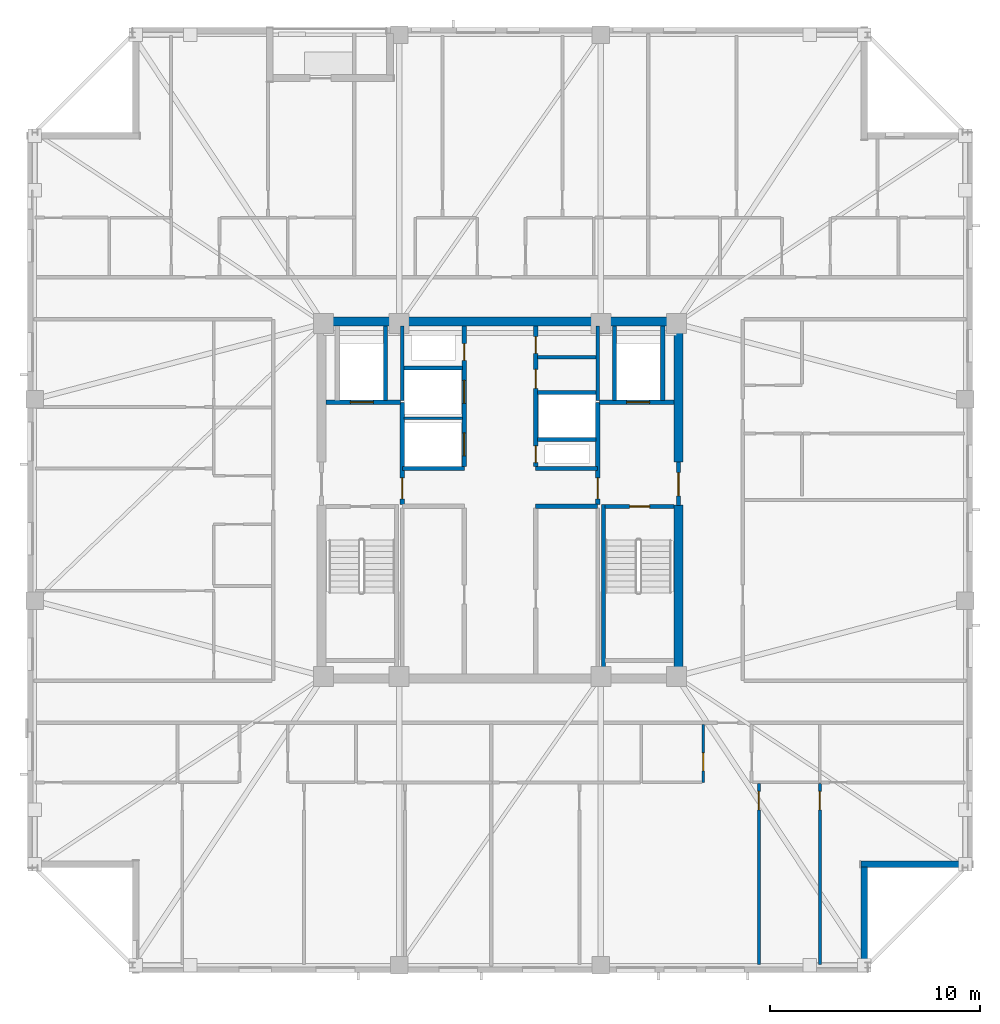
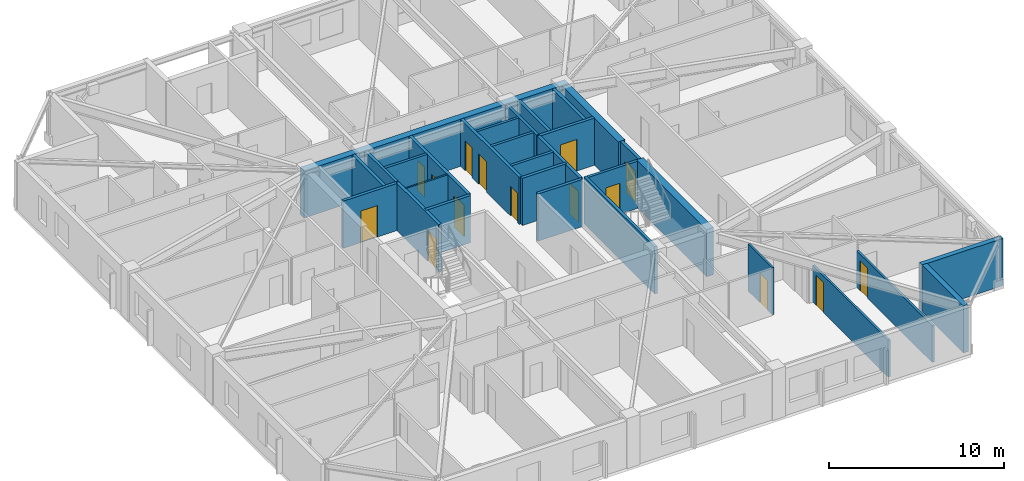
# One storey, part 9 of 17: 30 walls, 15 doors, 15 openings.
"""IFC4 building model written with IfcOpenShell, lengths in metres."""

from ifc_helpers import new_model, si_unit, direction, frame, frame_2d, origin, place, context, subcontext, project, spatial, rectangle, extrude, material, layer, layer_set, type_object, element, fill, save


model = new_model("IFC4")

# Units and contexts
model_context = context("Model", 3, precision=1e-05, world=origin(), true_north=direction((0.0, 1.0)))
body_context = subcontext(model_context, "Body", "Model", "MODEL_VIEW")
ifc_project = project(units=[si_unit("LENGTHUNIT", "METRE"), si_unit("AREAUNIT", "SQUARE_METRE"), si_unit("VOLUMEUNIT", "CUBIC_METRE"), si_unit("PLANEANGLEUNIT", "RADIAN"), si_unit("MASSUNIT", "GRAM", prefix="KILO")], contexts=[model_context])

# Site, building, storey
site_placement = place(None, origin())
site = spatial("IfcSite", under=ifc_project, at=site_placement, CompositionType="ELEMENT")
building_placement = place(site_placement, origin())
building = spatial("IfcBuilding", under=site, at=building_placement, Name="Cairnveth Concourse Tower", CompositionType="ELEMENT")
storey_placement = place(building_placement, frame((0.0, 0.0, 223.5)))
storey = spatial("IfcBuildingStorey", under=building, at=storey_placement, Name="L61", CompositionType="ELEMENT", Elevation=223.5)

# Walls
ifc_material_1 = material(Name="Gypsum Plasterboard Partition", Category="gypsum")
ifc_layer_1 = layer(ifc_material_1, 0.159912109375)
ifc_layer_set_1 = layer_set([ifc_layer_1], Name="Gypsum Plasterboard Partition")
wall_type_1 = type_object("IfcWallType", Name="ACOUSTIC PARTY WALL 180", PredefinedType="PARTITIONING", material=ifc_layer_set_1)
wall_1_placement = place(storey_placement, frame((53.784912109375, 45.800048828125, 0.0), z_axis=(0.0, 0.0, 1.0), x_axis=(1.0, 0.0, 0.0)))
element("IfcWall", 1, at=wall_1_placement, inside=storey, type_object=wall_type_1, Name="Interior Wall IW-L61-033", PredefinedType="PARTITIONING", context=body_context, shape_type="SweptSolid", body=[
    extrude(rectangle(XDim=2.7900390625, YDim=0.159912109375, at=frame_2d((1.39501953125, 0.0))), origin(), (0.0, 0.0, 1.0), 3.2900390625),
])
ifc_material_2 = material(Name="Concrete N65 (65 MPa)", Category="concrete")
ifc_layer_2 = layer(ifc_material_2, 0.449951171875)
ifc_layer_set_2 = layer_set([ifc_layer_2], Name="Concrete N65 (65 MPa)")
wall_type_2 = type_object("IfcWallType", Name="CORE SHEAR WALL 450", PredefinedType="SHEAR", material=ifc_layer_set_2)
wall_2_placement = place(storey_placement, frame((43.27490234375, 47.5, 0.0), z_axis=(0.0, 0.0, 1.0), x_axis=(1.0, 0.0, 0.0)))
element("IfcWall", 2, at=wall_2_placement, inside=storey, type_object=wall_type_2, Name="Core North Shear Wall L61", PredefinedType="SHEAR", context=body_context, shape_type="SweptSolid", body=[
    extrude(rectangle(XDim=17.4501953125, YDim=0.449951171875, at=frame_2d((8.72509765625, 0.0))), origin(), (0.0, 0.0, 1.0), 3.2900390625),
])
wall_3_placement = place(storey_placement, frame((60.5, 30.715087890625, 0.0), z_axis=(0.0, 0.0, 1.0), x_axis=(0.0, 1.0, 0.0)))
element("IfcWall", 3, at=wall_3_placement, inside=storey, type_object=wall_type_2, Name="Core East Shear Wall S L61", PredefinedType="SHEAR", context=body_context, shape_type="SweptSolid", body=[
    extrude(rectangle(XDim=8.034912109375, YDim=0.449951171875, at=frame_2d((4.017578125, 0.0))), origin(), (0.0, 0.0, 1.0), 3.2900390625),
])
wall_4_placement = place(storey_placement, frame((60.5, 40.800048828125, 0.0), z_axis=(0.0, 0.0, 1.0), x_axis=(0.0, 1.0, 0.0)))
element("IfcWall", 4, at=wall_4_placement, inside=storey, type_object=wall_type_2, Name="Core East Shear Wall N L61", PredefinedType="SHEAR", context=body_context, shape_type="SweptSolid", body=[
    extrude(rectangle(XDim=6.48486328125, YDim=0.449951171875, at=frame_2d((3.242431640625, 0.0))), origin(), (0.0, 0.0, 1.0), 3.2900390625),
])
ifc_material_3 = material(Name="Concrete N50 (50 MPa)", Category="concrete")
ifc_layer_3 = layer(ifc_material_3, 0.179931640625)
ifc_layer_set_3 = layer_set([ifc_layer_3], Name="Concrete N50 (50 MPa)")
wall_type_3 = type_object("IfcWallType", Name="FIRE SHAFT WALL 180", PredefinedType="SOLIDWALL", material=ifc_layer_set_3)
wall_5_placement = place(storey_placement, frame((47.35009765625, 43.735107421875, 0.0), z_axis=(0.0, 0.0, 1.0), x_axis=(0.0, 1.0, 0.0)))
element("IfcWall", 5, at=wall_5_placement, inside=storey, type_object=wall_type_3, Name="Interior Wall IW-L61-027", PredefinedType="SOLIDWALL", context=body_context, shape_type="SweptSolid", body=[
    extrude(rectangle(XDim=3.554931640625, YDim=0.179931640625, at=frame_2d((1.77734375, 0.0))), origin(), (0.0, 0.0, 1.0), 3.2900390625),
])
wall_6_placement = place(storey_placement, frame((47.425048828125, 45.280029296875, 0.0), z_axis=(0.0, 0.0, 1.0), x_axis=(1.0, 0.0, 0.0)))
element("IfcWall", 6, at=wall_6_placement, inside=storey, type_object=wall_type_3, Name="Interior Wall IW-L61-029", PredefinedType="SOLIDWALL", context=body_context, shape_type="SweptSolid", body=[
    extrude(rectangle(XDim=2.7900390625, YDim=0.179931640625, at=frame_2d((1.39501953125, 0.0))), origin(), (0.0, 0.0, 1.0), 3.2900390625),
])
wall_7_placement = place(storey_placement, frame((56.64990234375, 43.735107421875, 0.0), z_axis=(0.0, 0.0, 1.0), x_axis=(0.0, 1.0, 0.0)))
element("IfcWall", 7, at=wall_7_placement, inside=storey, type_object=wall_type_3, Name="Interior Wall IW-L61-030", PredefinedType="SOLIDWALL", context=body_context, shape_type="SweptSolid", body=[
    extrude(rectangle(XDim=3.554931640625, YDim=0.179931640625, at=frame_2d((1.77734375, 0.0))), origin(), (0.0, 0.0, 1.0), 3.2900390625),
])
wall_8_placement = place(storey_placement, frame((53.784912109375, 41.8798828125, 0.0), z_axis=(0.0, 0.0, 1.0), x_axis=(1.0, 0.0, 0.0)))
element("IfcWall", 8, at=wall_8_placement, inside=storey, type_object=wall_type_3, Name="Interior Wall IW-L61-031", PredefinedType="SOLIDWALL", context=body_context, shape_type="SweptSolid", body=[
    extrude(rectangle(XDim=2.780029296875, YDim=0.179931640625, at=frame_2d((1.39013671875, 0.0))), origin(), (0.0, 0.0, 1.0), 3.2900390625),
])
wall_9_placement = place(storey_placement, frame((53.784912109375, 44.1201171875, 0.0), z_axis=(0.0, 0.0, 1.0), x_axis=(1.0, 0.0, 0.0)))
element("IfcWall", 9, at=wall_9_placement, inside=storey, type_object=wall_type_3, Name="Interior Wall IW-L61-032", PredefinedType="SOLIDWALL", context=body_context, shape_type="SweptSolid", body=[
    extrude(rectangle(XDim=2.7900390625, YDim=0.179931640625, at=frame_2d((1.39501953125, 0.0))), origin(), (0.0, 0.0, 1.0), 3.2900390625),
])

# Wall, opening, door
wall_10_placement = place(storey_placement, frame((57.0048828125, 38.68994140625, 0.0), z_axis=(0.0, 0.0, 1.0), x_axis=(1.0, 0.0, 0.0)))
wall_10 = element("IfcWall", 10, at=wall_10_placement, inside=storey, type_object=wall_type_3, Name="Stair ST-2 Shaft Wall NEAR L61", PredefinedType="SOLIDWALL", context=body_context, shape_type="SweptSolid", body=[
    extrude(rectangle(XDim=3.280029296875, YDim=0.179931640625, at=frame_2d((1.64013671875, 0.0))), origin(), (0.0, 0.0, 1.0), 3.2900390625),
])
opening_1_placement = place(wall_10_placement, frame((1.1650390625, 0.0, 0.0)))
opening_1 = element("IfcOpeningElement", 11, at=opening_1_placement, cuts=wall_10, Name="Opening ID12", PredefinedType="OPENING", context=body_context, shape_type="SweptSolid", body=[
    extrude(rectangle(XDim=0.949951171875, YDim=2.14990234375, at=frame_2d((0.47509765625, 1.074951171875))), frame((0.0, 0.099853515625, 0.0), z_axis=(0.0, -1.0, 0.0), x_axis=(1.0, 0.0, 0.0)), (0.0, 0.0, 1.0), 0.199951171875),
])
ifc_material_4 = material(Name="Steel Grade 350", Category="steel")
door_type_1 = type_object("IfcDoorType", Name="FIRE STAIR DOOR 950X2150", OperationType="NOTDEFINED", PredefinedType="DOOR", material=ifc_material_4)
door_1_placement = place(opening_1_placement, origin())
door_1 = element("IfcDoor", 12, at=door_1_placement, inside=storey, type_object=door_type_1, Name="Stair ST-2 Fire Door L61", OperationType="SINGLE_SWING_RIGHT", OverallHeight=2.14990234375, OverallWidth=0.949951171875, PredefinedType="DOOR", context=body_context, shape_type="SweptSolid", body=[
    extrude(rectangle(XDim=0.949951171875, YDim=2.14990234375, at=frame_2d((0.47509765625, 1.074951171875))), frame((0.0, 0.02490234375, 0.0), z_axis=(0.0, -1.0, 0.0), x_axis=(1.0, 0.0, 0.0)), (0.0, 0.0, 1.0), 0.050048828125),
])
fill(opening_1, door_1)

# Walls
wall_11_placement = place(storey_placement, frame((56.929931640625, 38.780029296875, 0.0), z_axis=(0.0, 0.0, 1.0), x_axis=(0.0, -1.0, 0.0)))
element("IfcWall", 13, at=wall_11_placement, inside=storey, type_object=wall_type_3, Name="Stair ST-2 Shaft Wall LEFT L61", PredefinedType="SOLIDWALL", context=body_context, shape_type="SweptSolid", body=[
    extrude(rectangle(XDim=8.067138671875, YDim=0.179931640625, at=frame_2d((4.03369140625, 0.0))), origin(), (0.0, 0.0, 1.0), 3.2900390625),
])
ifc_layer_4 = layer(ifc_material_3, 0.199951171875)
ifc_layer_set_4 = layer_set([ifc_layer_4], Name="Concrete N50 (50 MPa)")
wall_type_4 = type_object("IfcWallType", Name="FIRE SHAFT WALL 200", PredefinedType="SOLIDWALL", material=ifc_layer_set_4)
for number, where, z_axis, x_axis, name in (
    (14, (47.35009765625, 40.5, 0.0), (0.0, 0.0, 1.0), (1.0, 0.0, 0.0), "Interior Wall IW-L61-008"),
    (15, (53.699951171875, 38.699951171875, 0.0), (0.0, 0.0, 1.0), (1.0, 0.0, 0.0), "Interior Wall IW-L61-009"),
    (16, (53.699951171875, 40.5, 0.0), (0.0, 0.0, 1.0), (1.0, 0.0, 0.0), "Interior Wall IW-L61-010"),
):
    element("IfcWall", number, at=place(storey_placement, frame(where, z_axis=z_axis, x_axis=x_axis)), inside=storey, type_object=wall_type_4, Name=name, PredefinedType="SOLIDWALL", context=body_context, shape_type="SweptSolid", body=[
        extrude(rectangle(XDim=2.949951171875, YDim=0.199951171875, at=frame_2d((1.47509765625, 0.0))), origin(), (0.0, 0.0, 1.0), 3.2900390625),
    ])

# Wall, openings, doors
wall_12_placement = place(storey_placement, frame((50.300048828125, 40.5849609375, 0.0), z_axis=(0.0, 0.0, 1.0), x_axis=(0.0, 1.0, 0.0)))
wall_12 = element("IfcWall", 17, at=wall_12_placement, inside=storey, type_object=wall_type_4, Name="Interior Wall IW-L61-013", PredefinedType="SOLIDWALL", context=body_context, shape_type="SweptSolid", body=[
    extrude(rectangle(XDim=6.705078125, YDim=0.199951171875, at=frame_2d((3.3525390625, 0.0))), origin(), (0.0, 0.0, 1.0), 3.2900390625),
])
opening_2_placement = place(wall_12_placement, frame((0.514892578125, 0.0, 0.0)))
opening_2 = element("IfcOpeningElement", 18, at=opening_2_placement, cuts=wall_12, Name="Opening LD-1", PredefinedType="OPENING", context=body_context, shape_type="SweptSolid", body=[
    extrude(rectangle(XDim=1.10009765625, YDim=2.199951171875, at=frame_2d((0.550048828125, 1.10009765625))), frame((0.0, 0.10986328125, 0.0), z_axis=(0.0, -1.0, 0.0), x_axis=(1.0, 0.0, 0.0)), (0.0, 0.0, 1.0), 0.219970703125),
])
opening_3_placement = place(wall_12_placement, frame((3.014892578125, 0.0, 0.0)))
opening_3 = element("IfcOpeningElement", 19, at=opening_3_placement, cuts=wall_12, Name="Opening LD-1", PredefinedType="OPENING", context=body_context, shape_type="SweptSolid", body=[
    extrude(rectangle(XDim=1.10009765625, YDim=2.199951171875, at=frame_2d((0.550048828125, 1.10009765625))), frame((0.0, 0.10986328125, 0.0), z_axis=(0.0, -1.0, 0.0), x_axis=(1.0, 0.0, 0.0)), (0.0, 0.0, 1.0), 0.219970703125),
])
opening_4_placement = place(wall_12_placement, frame((5.06494140625, 0.0, 0.0)))
opening_4 = element("IfcOpeningElement", 20, at=opening_4_placement, cuts=wall_12, Name="Opening ID24", PredefinedType="OPENING", context=body_context, shape_type="SweptSolid", body=[
    extrude(rectangle(XDim=0.800048828125, YDim=2.080078125, at=frame_2d((0.39990234375, 1.0400390625))), frame((0.0, 0.10986328125, 0.0), z_axis=(0.0, -1.0, 0.0), x_axis=(1.0, 0.0, 0.0)), (0.0, 0.0, 1.0), 0.219970703125),
])
ifc_material_5 = material(Name="Architectural Bronze Anodised Aluminium 6063-T6", Category="aluminium")
door_type_2 = type_object("IfcDoorType", Name="LIFT LANDING DOOR 1100X2200", OperationType="SLIDING_TO_LEFT", PredefinedType="DOOR", material=ifc_material_5)
door_2_placement = place(opening_2_placement, origin())
door_2 = element("IfcDoor", 21, at=door_2_placement, inside=storey, type_object=door_type_2, Name="Lift PL7 Landing Door L61", OperationType="SLIDING_TO_LEFT", OverallHeight=2.199951171875, OverallWidth=1.10009765625, PredefinedType="DOOR", context=body_context, shape_type="SweptSolid", body=[
    extrude(rectangle(XDim=1.10009765625, YDim=2.199951171875, at=frame_2d((0.550048828125, 1.10009765625))), frame((0.0, 0.02490234375, 0.0), z_axis=(0.0, -1.0, 0.0), x_axis=(1.0, 0.0, 0.0)), (0.0, 0.0, 1.0), 0.050048828125),
])
fill(opening_2, door_2)
door_3_placement = place(opening_3_placement, origin())
door_3 = element("IfcDoor", 22, at=door_3_placement, inside=storey, type_object=door_type_2, Name="Lift PL8 Landing Door L61", OperationType="SLIDING_TO_LEFT", OverallHeight=2.199951171875, OverallWidth=1.10009765625, PredefinedType="DOOR", context=body_context, shape_type="SweptSolid", body=[
    extrude(rectangle(XDim=1.10009765625, YDim=2.199951171875, at=frame_2d((0.550048828125, 1.10009765625))), frame((0.0, 0.02490234375, 0.0), z_axis=(0.0, -1.0, 0.0), x_axis=(1.0, 0.0, 0.0)), (0.0, 0.0, 1.0), 0.050048828125),
])
fill(opening_3, door_3)
door_type_3 = type_object("IfcDoorType", Name="RISER ACCESS DOOR 800X2100", OperationType="NOTDEFINED", PredefinedType="DOOR", material=ifc_material_4)
door_4_placement = place(opening_4_placement, origin())
door_4 = element("IfcDoor", 23, at=door_4_placement, inside=storey, type_object=door_type_3, Name="NW Electrical Riser Access Door L61", OperationType="SINGLE_SWING_LEFT", OverallHeight=2.080078125, OverallWidth=0.800048828125, PredefinedType="DOOR", context=body_context, shape_type="SweptSolid", body=[
    extrude(rectangle(XDim=0.800048828125, YDim=2.080078125, at=frame_2d((0.39990234375, 1.0400390625))), frame((0.0, 0.02490234375, 0.0), z_axis=(0.0, -1.0, 0.0), x_axis=(1.0, 0.0, 0.0)), (0.0, 0.0, 1.0), 0.050048828125),
])
fill(opening_4, door_4)

wall_13_placement = place(storey_placement, frame((53.699951171875, 40.5849609375, 0.0), z_axis=(0.0, 0.0, 1.0), x_axis=(0.0, 1.0, 0.0)))
wall_13 = element("IfcWall", 24, at=wall_13_placement, inside=storey, type_object=wall_type_4, Name="Interior Wall IW-L61-014", PredefinedType="SOLIDWALL", context=body_context, shape_type="SweptSolid", body=[
    extrude(rectangle(XDim=6.705078125, YDim=0.199951171875, at=frame_2d((3.3525390625, 0.0))), origin(), (0.0, 0.0, 1.0), 3.2900390625),
])
opening_5_placement = place(wall_13_placement, frame((0.195068359375, 0.0, 0.0)))
opening_5 = element("IfcOpeningElement", 25, at=opening_5_placement, cuts=wall_13, Name="Opening ID24", PredefinedType="OPENING", context=body_context, shape_type="SweptSolid", body=[
    extrude(rectangle(XDim=0.800048828125, YDim=2.080078125, at=frame_2d((0.39990234375, 1.0400390625))), frame((0.0, 0.10986328125, 0.0), z_axis=(0.0, -1.0, 0.0), x_axis=(1.0, 0.0, 0.0)), (0.0, 0.0, 1.0), 0.219970703125),
])
opening_6_placement = place(wall_13_placement, frame((3.735107421875, 0.0, 0.0)))
opening_6 = element("IfcOpeningElement", 26, at=opening_6_placement, cuts=wall_13, Name="Opening ID26", PredefinedType="OPENING", context=body_context, shape_type="SweptSolid", body=[
    extrude(rectangle(XDim=0.89990234375, YDim=2.1201171875, at=frame_2d((0.449951171875, 1.06005859375))), frame((0.0, 0.10986328125, 0.0), z_axis=(0.0, -1.0, 0.0), x_axis=(1.0, 0.0, 0.0)), (0.0, 0.0, 1.0), 0.219970703125),
])
opening_7_placement = place(wall_13_placement, frame((5.39501953125, 0.0, 0.0)))
opening_7 = element("IfcOpeningElement", 27, at=opening_7_placement, cuts=wall_13, Name="Opening ID23", PredefinedType="OPENING", context=body_context, shape_type="SweptSolid", body=[
    extrude(rectangle(XDim=0.800048828125, YDim=2.10009765625, at=frame_2d((0.39990234375, 1.050048828125))), frame((0.0, 0.10986328125, 0.0), z_axis=(0.0, -1.0, 0.0), x_axis=(1.0, 0.0, 0.0)), (0.0, 0.0, 1.0), 0.219970703125),
])
door_type_4 = type_object("IfcDoorType", Name="CORE SERVICE DOOR 800X2100", OperationType="NOTDEFINED", PredefinedType="DOOR", material=ifc_material_4)
door_5_placement = place(opening_7_placement, origin())
door_5 = element("IfcDoor", 28, at=door_5_placement, inside=storey, type_object=door_type_4, Name="Core NE Cleaners Door L61", OperationType="SINGLE_SWING_RIGHT", OverallHeight=2.10009765625, OverallWidth=0.800048828125, PredefinedType="DOOR", context=body_context, shape_type="SweptSolid", body=[
    extrude(rectangle(XDim=0.800048828125, YDim=2.10009765625, at=frame_2d((0.39990234375, 1.050048828125))), frame((0.0, 0.02490234375, 0.0), z_axis=(0.0, -1.0, 0.0), x_axis=(1.0, 0.0, 0.0)), (0.0, 0.0, 1.0), 0.050048828125),
])
fill(opening_7, door_5)
door_type_5 = type_object("IfcDoorType", Name="CORE TOILET FIRE DOOR 900X2120", OperationType="NOTDEFINED", PredefinedType="DOOR", material=ifc_material_4)
door_6_placement = place(opening_6_placement, origin())
door_6 = element("IfcDoor", 29, at=door_6_placement, inside=storey, type_object=door_type_5, Name="Core NE Unisex WC Door L61", OperationType="SINGLE_SWING_LEFT", OverallHeight=2.1201171875, OverallWidth=0.89990234375, PredefinedType="DOOR", context=body_context, shape_type="SweptSolid", body=[
    extrude(rectangle(XDim=0.89990234375, YDim=2.1201171875, at=frame_2d((0.449951171875, 1.06005859375))), frame((0.0, 0.02490234375, 0.0), z_axis=(0.0, -1.0, 0.0), x_axis=(1.0, 0.0, 0.0)), (0.0, 0.0, 1.0), 0.050048828125),
])
fill(opening_6, door_6)
door_7_placement = place(opening_5_placement, origin())
door_7 = element("IfcDoor", 30, at=door_7_placement, inside=storey, type_object=door_type_3, Name="Hydraulic Riser Door L61", OperationType="SINGLE_SWING_RIGHT", OverallHeight=2.080078125, OverallWidth=0.800048828125, PredefinedType="DOOR", context=body_context, shape_type="SweptSolid", body=[
    extrude(rectangle(XDim=0.800048828125, YDim=2.080078125, at=frame_2d((0.39990234375, 1.0400390625))), frame((0.0, 0.02490234375, 0.0), z_axis=(0.0, -1.0, 0.0), x_axis=(1.0, 0.0, 0.0)), (0.0, 0.0, 1.0), 0.050048828125),
])
fill(opening_5, door_7)

# Wall, opening, door
wall_14_placement = place(storey_placement, frame((47.35009765625, 38.784912109375, 0.0), z_axis=(0.0, 0.0, 1.0), x_axis=(0.0, 1.0, 0.0)))
wall_14 = element("IfcWall", 31, at=wall_14_placement, inside=storey, type_object=wall_type_4, Name="Interior Wall IW-L61-016", PredefinedType="SOLIDWALL", context=body_context, shape_type="SweptSolid", body=[
    extrude(rectangle(XDim=4.864990234375, YDim=0.199951171875, at=frame_2d((2.4326171875, 0.0))), origin(), (0.0, 0.0, 1.0), 3.2900390625),
])
opening_8_placement = place(wall_14_placement, frame((0.264892578125, 0.0, 0.0)))
opening_8 = element("IfcOpeningElement", 32, at=opening_8_placement, cuts=wall_14, Name="Opening ID07", PredefinedType="OPENING", context=body_context, shape_type="SweptSolid", body=[
    extrude(rectangle(XDim=1.0, YDim=2.14990234375, at=frame_2d((0.5, 1.074951171875))), frame((0.0, 0.10986328125, 0.0), z_axis=(0.0, -1.0, 0.0), x_axis=(1.0, 0.0, 0.0)), (0.0, 0.0, 1.0), 0.219970703125),
])
door_type_6 = type_object("IfcDoorType", Name="FIRE CORRIDOR DOOR 1000X2150", OperationType="NOTDEFINED", PredefinedType="DOOR", material=ifc_material_4)
door_8_placement = place(opening_8_placement, origin())
door_8 = element("IfcDoor", 33, at=door_8_placement, inside=storey, type_object=door_type_6, Name="FF Lobby West to Lift Lobby Door L61", OperationType="SINGLE_SWING_RIGHT", OverallHeight=2.14990234375, OverallWidth=1.0, PredefinedType="DOOR", context=body_context, shape_type="SweptSolid", body=[
    extrude(rectangle(XDim=1.0, YDim=2.14990234375, at=frame_2d((0.5, 1.074951171875))), frame((0.0, 0.02490234375, 0.0), z_axis=(0.0, -1.0, 0.0), x_axis=(1.0, 0.0, 0.0)), (0.0, 0.0, 1.0), 0.050048828125),
])
fill(opening_8, door_8)

wall_15_placement = place(storey_placement, frame((43.7099609375, 43.64990234375, 0.0), z_axis=(0.0, 0.0, 1.0), x_axis=(1.0, 0.0, 0.0)))
wall_15 = element("IfcWall", 34, at=wall_15_placement, inside=storey, type_object=wall_type_4, Name="Interior Wall IW-L61-017", PredefinedType="SOLIDWALL", context=body_context, shape_type="SweptSolid", body=[
    extrude(rectangle(XDim=3.554931640625, YDim=0.199951171875, at=frame_2d((1.77734375, 0.0))), origin(), (0.0, 0.0, 1.0), 3.2900390625),
])
opening_9_placement = place(wall_15_placement, frame((1.159912109375, 0.0, 0.0)))
opening_9 = element("IfcOpeningElement", 35, at=opening_9_placement, cuts=wall_15, Name="Opening LD-1", PredefinedType="OPENING", context=body_context, shape_type="SweptSolid", body=[
    extrude(rectangle(XDim=1.10009765625, YDim=2.199951171875, at=frame_2d((0.550048828125, 1.10009765625))), frame((0.0, 0.10986328125, 0.0), z_axis=(0.0, -1.0, 0.0), x_axis=(1.0, 0.0, 0.0)), (0.0, 0.0, 1.0), 0.219970703125),
])
door_9_placement = place(opening_9_placement, origin())
door_9 = element("IfcDoor", 36, at=door_9_placement, inside=storey, type_object=door_type_2, Name="Lift FFL1 Landing Door L61", OperationType="SLIDING_TO_LEFT", OverallHeight=2.199951171875, OverallWidth=1.10009765625, PredefinedType="DOOR", context=body_context, shape_type="SweptSolid", body=[
    extrude(rectangle(XDim=1.10009765625, YDim=2.199951171875, at=frame_2d((0.550048828125, 1.10009765625))), frame((0.0, 0.02490234375, 0.0), z_axis=(0.0, -1.0, 0.0), x_axis=(1.0, 0.0, 0.0)), (0.0, 0.0, 1.0), 0.050048828125),
])
fill(opening_9, door_9)

# Wall
wall_16_placement = place(storey_placement, frame((46.550048828125, 43.735107421875, 0.0), z_axis=(0.0, 0.0, 1.0), x_axis=(0.0, 1.0, 0.0)))
element("IfcWall", 37, at=wall_16_placement, inside=storey, type_object=wall_type_4, Name="Interior Wall IW-L61-018", PredefinedType="SOLIDWALL", context=body_context, shape_type="SweptSolid", body=[
    extrude(rectangle(XDim=3.554931640625, YDim=0.199951171875, at=frame_2d((1.77734375, 0.0))), origin(), (0.0, 0.0, 1.0), 3.2900390625),
])

# Wall, opening, door
wall_17_placement = place(storey_placement, frame((60.5, 38.75, 0.0), z_axis=(0.0, 0.0, 1.0), x_axis=(0.0, 1.0, 0.0)))
wall_17 = element("IfcWall", 38, at=wall_17_placement, inside=storey, type_object=wall_type_4, Name="Interior Wall IW-L61-020", PredefinedType="SOLIDWALL", context=body_context, shape_type="SweptSolid", body=[
    extrude(rectangle(XDim=2.050048828125, YDim=0.199951171875, at=frame_2d((1.02490234375, 0.0))), origin(), (0.0, 0.0, 1.0), 3.2900390625),
])
opening_10_placement = place(wall_17_placement, frame((0.449951171875, 0.0, 0.0)))
opening_10 = element("IfcOpeningElement", 39, at=opening_10_placement, cuts=wall_17, Name="Opening ID06", PredefinedType="OPENING", context=body_context, shape_type="SweptSolid", body=[
    extrude(rectangle(XDim=1.10009765625, YDim=2.14990234375, at=frame_2d((0.550048828125, 1.074951171875))), frame((0.0, 0.10986328125, 0.0), z_axis=(0.0, -1.0, 0.0), x_axis=(1.0, 0.0, 0.0)), (0.0, 0.0, 1.0), 0.219970703125),
])
door_type_7 = type_object("IfcDoorType", Name="FIRE CORRIDOR DOOR 1100X2150", OperationType="NOTDEFINED", PredefinedType="DOOR", material=ifc_material_4)
door_10_placement = place(opening_10_placement, origin())
door_10 = element("IfcDoor", 40, at=door_10_placement, inside=storey, type_object=door_type_7, Name="East Wing to FF Lobby Door L61", OperationType="SINGLE_SWING_RIGHT", OverallHeight=2.14990234375, OverallWidth=1.10009765625, PredefinedType="DOOR", context=body_context, shape_type="SweptSolid", body=[
    extrude(rectangle(XDim=1.10009765625, YDim=2.14990234375, at=frame_2d((0.550048828125, 1.074951171875))), frame((0.0, 0.02490234375, 0.0), z_axis=(0.0, -1.0, 0.0), x_axis=(1.0, 0.0, 0.0)), (0.0, 0.0, 1.0), 0.050048828125),
])
fill(opening_10, door_10)

wall_18_placement = place(storey_placement, frame((56.64990234375, 38.784912109375, 0.0), z_axis=(0.0, 0.0, 1.0), x_axis=(0.0, 1.0, 0.0)))
wall_18 = element("IfcWall", 41, at=wall_18_placement, inside=storey, type_object=wall_type_4, Name="Interior Wall IW-L61-021", PredefinedType="SOLIDWALL", context=body_context, shape_type="SweptSolid", body=[
    extrude(rectangle(XDim=4.864990234375, YDim=0.199951171875, at=frame_2d((2.4326171875, 0.0))), origin(), (0.0, 0.0, 1.0), 3.2900390625),
])
opening_11_placement = place(wall_18_placement, frame((0.264892578125, 0.0, 0.0)))
opening_11 = element("IfcOpeningElement", 42, at=opening_11_placement, cuts=wall_18, Name="Opening ID07", PredefinedType="OPENING", context=body_context, shape_type="SweptSolid", body=[
    extrude(rectangle(XDim=1.0, YDim=2.14990234375, at=frame_2d((0.5, 1.074951171875))), frame((0.0, 0.10986328125, 0.0), z_axis=(0.0, -1.0, 0.0), x_axis=(1.0, 0.0, 0.0)), (0.0, 0.0, 1.0), 0.219970703125),
])
door_11_placement = place(opening_11_placement, origin())
door_11 = element("IfcDoor", 43, at=door_11_placement, inside=storey, type_object=door_type_6, Name="FF Lobby East to Lift Lobby Door L61", OperationType="SINGLE_SWING_LEFT", OverallHeight=2.14990234375, OverallWidth=1.0, PredefinedType="DOOR", context=body_context, shape_type="SweptSolid", body=[
    extrude(rectangle(XDim=1.0, YDim=2.14990234375, at=frame_2d((0.5, 1.074951171875))), frame((0.0, 0.02490234375, 0.0), z_axis=(0.0, -1.0, 0.0), x_axis=(1.0, 0.0, 0.0)), (0.0, 0.0, 1.0), 0.050048828125),
])
fill(opening_11, door_11)

wall_19_placement = place(storey_placement, frame((56.735107421875, 43.64990234375, 0.0), z_axis=(0.0, 0.0, 1.0), x_axis=(1.0, 0.0, 0.0)))
wall_19 = element("IfcWall", 44, at=wall_19_placement, inside=storey, type_object=wall_type_4, Name="Interior Wall IW-L61-022", PredefinedType="SOLIDWALL", context=body_context, shape_type="SweptSolid", body=[
    extrude(rectangle(XDim=3.554931640625, YDim=0.199951171875, at=frame_2d((1.77734375, 0.0))), origin(), (0.0, 0.0, 1.0), 3.2900390625),
])
opening_12_placement = place(wall_19_placement, frame((1.294921875, 0.0, 0.0)))
opening_12 = element("IfcOpeningElement", 45, at=opening_12_placement, cuts=wall_19, Name="Opening LD-1", PredefinedType="OPENING", context=body_context, shape_type="SweptSolid", body=[
    extrude(rectangle(XDim=1.10009765625, YDim=2.199951171875, at=frame_2d((0.550048828125, 1.10009765625))), frame((0.0, 0.10986328125, 0.0), z_axis=(0.0, -1.0, 0.0), x_axis=(1.0, 0.0, 0.0)), (0.0, 0.0, 1.0), 0.219970703125),
])
door_12_placement = place(opening_12_placement, origin())
door_12 = element("IfcDoor", 46, at=door_12_placement, inside=storey, type_object=door_type_2, Name="Lift FFL2 Landing Door L61", OperationType="SLIDING_TO_LEFT", OverallHeight=2.199951171875, OverallWidth=1.10009765625, PredefinedType="DOOR", context=body_context, shape_type="SweptSolid", body=[
    extrude(rectangle(XDim=1.10009765625, YDim=2.199951171875, at=frame_2d((0.550048828125, 1.10009765625))), frame((0.0, 0.02490234375, 0.0), z_axis=(0.0, -1.0, 0.0), x_axis=(1.0, 0.0, 0.0)), (0.0, 0.0, 1.0), 0.050048828125),
])
fill(opening_12, door_12)

# Walls
for number, where, z_axis, x_axis, name in (
    (47, (57.449951171875, 43.735107421875, 0.0), (0.0, 0.0, 1.0), (0.0, 1.0, 0.0), "Interior Wall IW-L61-023"),
    (48, (59.75, 43.735107421875, 0.0), (0.0, 0.0, 1.0), (0.0, 1.0, 0.0), "Interior Wall IW-L61-024"),
):
    element("IfcWall", number, at=place(storey_placement, frame(where, z_axis=z_axis, x_axis=x_axis)), inside=storey, type_object=wall_type_4, Name=name, PredefinedType="SOLIDWALL", context=body_context, shape_type="SweptSolid", body=[
        extrude(rectangle(XDim=3.554931640625, YDim=0.199951171875, at=frame_2d((1.77734375, 0.0))), origin(), (0.0, 0.0, 1.0), 3.2900390625),
    ])

# Wall, opening, door
ifc_layer_5 = layer(ifc_material_1, 0.139892578125)
ifc_layer_set_5 = layer_set([ifc_layer_5], Name="Gypsum Plasterboard Partition")
wall_type_5 = type_object("IfcWallType", Name="GYPSUM STUD PARTITION 140", PredefinedType="PARTITIONING", material=ifc_layer_set_5)
wall_20_placement = place(storey_placement, frame((67.22998046875, 16.8798828125, 0.0), z_axis=(0.0, 0.0, 1.0), x_axis=(0.0, 1.0, 0.0)))
wall_20 = element("IfcWall", 49, at=wall_20_placement, inside=storey, type_object=wall_type_5, Name="Interior Wall IW-L61-062", PredefinedType="PARTITIONING", context=body_context, shape_type="SweptSolid", body=[
    extrude(rectangle(XDim=8.627685546875, YDim=0.139892578125, at=frame_2d((4.31396484375, 0.0))), origin(), (0.0, 0.0, 1.0), 2.572998046875),
])
opening_13_placement = place(wall_20_placement, frame((7.367431640625, 0.0, 0.0)))
opening_13 = element("IfcOpeningElement", 50, at=opening_13_placement, cuts=wall_20, Name="Opening ID18", PredefinedType="OPENING", context=body_context, shape_type="SweptSolid", body=[
    extrude(rectangle(XDim=0.8798828125, YDim=2.10009765625, at=frame_2d((0.43994140625, 1.050048828125))), frame((0.0, 0.079833984375, 0.0), z_axis=(0.0, -1.0, 0.0), x_axis=(1.0, 0.0, 0.0)), (0.0, 0.0, 1.0), 0.159912109375),
])
ifc_material_6 = material(Name="Solid Core Hardwood Timber Leaf", Category="wood")
door_type_8 = type_object("IfcDoorType", Name="INTERIOR SINGLE DOOR 880X2100", OperationType="NOTDEFINED", PredefinedType="DOOR", material=ifc_material_6)
door_13_placement = place(opening_13_placement, origin())
door_13 = element("IfcDoor", 51, at=door_13_placement, inside=storey, type_object=door_type_8, Name="L61S2 Bedroom 2 Door", OperationType="SINGLE_SWING_RIGHT", OverallHeight=2.10009765625, OverallWidth=0.8798828125, PredefinedType="DOOR", context=body_context, shape_type="SweptSolid", body=[
    extrude(rectangle(XDim=0.8798828125, YDim=2.10009765625, at=frame_2d((0.43994140625, 1.050048828125))), frame((0.0, 0.02490234375, 0.0), z_axis=(0.0, -1.0, 0.0), x_axis=(1.0, 0.0, 0.0)), (0.0, 0.0, 1.0), 0.050048828125),
])
fill(opening_13, door_13)

wall_21_placement = place(storey_placement, frame((64.32861328125, 16.8798828125, 0.0), z_axis=(0.0, 0.0, 1.0), x_axis=(0.0, 1.0, 0.0)))
wall_21 = element("IfcWall", 52, at=wall_21_placement, inside=storey, type_object=wall_type_5, Name="Interior Wall IW-L61-064", PredefinedType="PARTITIONING", context=body_context, shape_type="SweptSolid", body=[
    extrude(rectangle(XDim=8.627685546875, YDim=0.139892578125, at=frame_2d((4.31396484375, 0.0))), origin(), (0.0, 0.0, 1.0), 2.572998046875),
])
opening_14_placement = place(wall_21_placement, frame((7.367431640625, 0.0, 0.0)))
opening_14 = element("IfcOpeningElement", 53, at=opening_14_placement, cuts=wall_21, Name="Opening ID18", PredefinedType="OPENING", context=body_context, shape_type="SweptSolid", body=[
    extrude(rectangle(XDim=0.8798828125, YDim=2.10009765625, at=frame_2d((0.43994140625, 1.050048828125))), frame((0.0, 0.079833984375, 0.0), z_axis=(0.0, -1.0, 0.0), x_axis=(1.0, 0.0, 0.0)), (0.0, 0.0, 1.0), 0.159912109375),
])
door_14_placement = place(opening_14_placement, origin())
door_14 = element("IfcDoor", 54, at=door_14_placement, inside=storey, type_object=door_type_8, Name="L61S2 Media Lounge Door", OperationType="SINGLE_SWING_LEFT", OverallHeight=2.10009765625, OverallWidth=0.8798828125, PredefinedType="DOOR", context=body_context, shape_type="SweptSolid", body=[
    extrude(rectangle(XDim=0.8798828125, YDim=2.10009765625, at=frame_2d((0.43994140625, 1.050048828125))), frame((0.0, 0.02490234375, 0.0), z_axis=(0.0, -1.0, 0.0), x_axis=(1.0, 0.0, 0.0)), (0.0, 0.0, 1.0), 0.050048828125),
])
fill(opening_14, door_14)

# Wall
ifc_layer_6 = layer(ifc_material_1, 0.110107421875)
ifc_layer_set_6 = layer_set([ifc_layer_6], Name="Gypsum Plasterboard Partition")
wall_type_6 = type_object("IfcWallType", Name="SHAFT DIVIDER WALL 140", PredefinedType="PARTITIONING", material=ifc_layer_set_6)
wall_22_placement = place(storey_placement, frame((47.43505859375, 42.89990234375, 0.0), z_axis=(0.0, 0.0, 1.0), x_axis=(1.0, 0.0, 0.0)))
element("IfcWall", 55, at=wall_22_placement, inside=storey, type_object=wall_type_6, Name="Interior Wall IW-L61-028", PredefinedType="PARTITIONING", context=body_context, shape_type="SweptSolid", body=[
    extrude(rectangle(XDim=2.780029296875, YDim=0.110107421875, at=frame_2d((1.39013671875, 0.0))), origin(), (0.0, 0.0, 1.0), 3.2900390625),
])

# Wall, opening, door
ifc_layer_7 = layer(ifc_material_1, 0.1298828125)
ifc_layer_set_7 = layer_set([ifc_layer_7], Name="Gypsum Plasterboard Partition")
wall_type_7 = type_object("IfcWallType", Name="WET AREA PARTITION 140", PredefinedType="PLUMBINGWALL", material=ifc_layer_set_7)
wall_23_placement = place(storey_placement, frame((61.6787109375, 25.5576171875, 0.0), z_axis=(0.0, 0.0, 1.0), x_axis=(0.0, 1.0, 0.0)))
wall_23 = element("IfcWall", 56, at=wall_23_placement, inside=storey, type_object=wall_type_7, Name="Interior Wall IW-L61-055", PredefinedType="PLUMBINGWALL", context=body_context, shape_type="SweptSolid", body=[
    extrude(rectangle(XDim=2.75, YDim=0.1298828125, at=frame_2d((1.375, 0.0))), origin(), (0.0, 0.0, 1.0), 3.2900390625),
])
opening_15_placement = place(wall_23_placement, frame((0.550048828125, 0.0, 0.0)))
opening_15 = element("IfcOpeningElement", 57, at=opening_15_placement, cuts=wall_23, Name="Opening ID21", PredefinedType="OPENING", context=body_context, shape_type="SweptSolid", body=[
    extrude(rectangle(XDim=0.85009765625, YDim=2.080078125, at=frame_2d((0.425048828125, 1.0400390625))), frame((0.0, 0.074951171875, 0.0), z_axis=(0.0, -1.0, 0.0), x_axis=(1.0, 0.0, 0.0)), (0.0, 0.0, 1.0), 0.14990234375),
])
door_type_9 = type_object("IfcDoorType", Name="INTERIOR WC DOOR 850X2100", OperationType="NOTDEFINED", PredefinedType="DOOR", material=ifc_material_6)
door_15_placement = place(opening_15_placement, origin())
door_15 = element("IfcDoor", 58, at=door_15_placement, inside=storey, type_object=door_type_9, Name="L61S2 Bathroom Door", OperationType="SINGLE_SWING_LEFT", OverallHeight=2.080078125, OverallWidth=0.85009765625, PredefinedType="DOOR", context=body_context, shape_type="SweptSolid", body=[
    extrude(rectangle(XDim=0.85009765625, YDim=2.080078125, at=frame_2d((0.425048828125, 1.0400390625))), frame((0.0, 0.02490234375, 0.0), z_axis=(0.0, -1.0, 0.0), x_axis=(1.0, 0.0, 0.0)), (0.0, 0.0, 1.0), 0.050048828125),
])
fill(opening_15, door_15)

# Walls
ifc_material_7 = material(Name="Melbourne Buff Fired Clay Brick Masonry", Category="masonry")
ifc_layer_8 = layer(ifc_material_7, 0.320068359375)
ifc_layer_set_8 = layer_set([ifc_layer_8], Name="Melbourne Buff Fired Clay Brick Masonry")
wall_type_8 = type_object("IfcWallType", Name="ZONE 3 BRICK PIER SPANDREL WALL 320", PredefinedType="SOLIDWALL", material=ifc_layer_set_8)
wall_24_placement = place(storey_placement, frame((74.5, 21.659912109375, 0.0), z_axis=(0.0, 0.0, 1.0), x_axis=(-1.0, 0.0, 0.0)))
element("IfcWall", 59, at=wall_24_placement, inside=storey, type_object=wall_type_8, Name="Exterior Wall EW-L61-S04", PredefinedType="SOLIDWALL", context=body_context, shape_type="SweptSolid", body=[
    extrude(rectangle(XDim=5.320068359375, YDim=0.320068359375, at=frame_2d((2.66015625, 0.0))), origin(), (0.0, 0.0, 1.0), 3.2900390625),
])
wall_25_placement = place(storey_placement, frame((69.340087890625, 21.52197265625, 0.0), z_axis=(0.0, 0.0, 1.0), x_axis=(0.0, -1.0, 0.0)))
element("IfcWall", 60, at=wall_25_placement, inside=storey, type_object=wall_type_8, Name="Exterior Wall EW-L61-S05", PredefinedType="SOLIDWALL", context=body_context, shape_type="SweptSolid", body=[
    extrude(rectangle(XDim=4.723876953125, YDim=0.320068359375, at=frame_2d((2.36181640625, 0.0))), origin(), (0.0, 0.0, 1.0), 3.2900390625),
])

save(model, "model.ifc")
